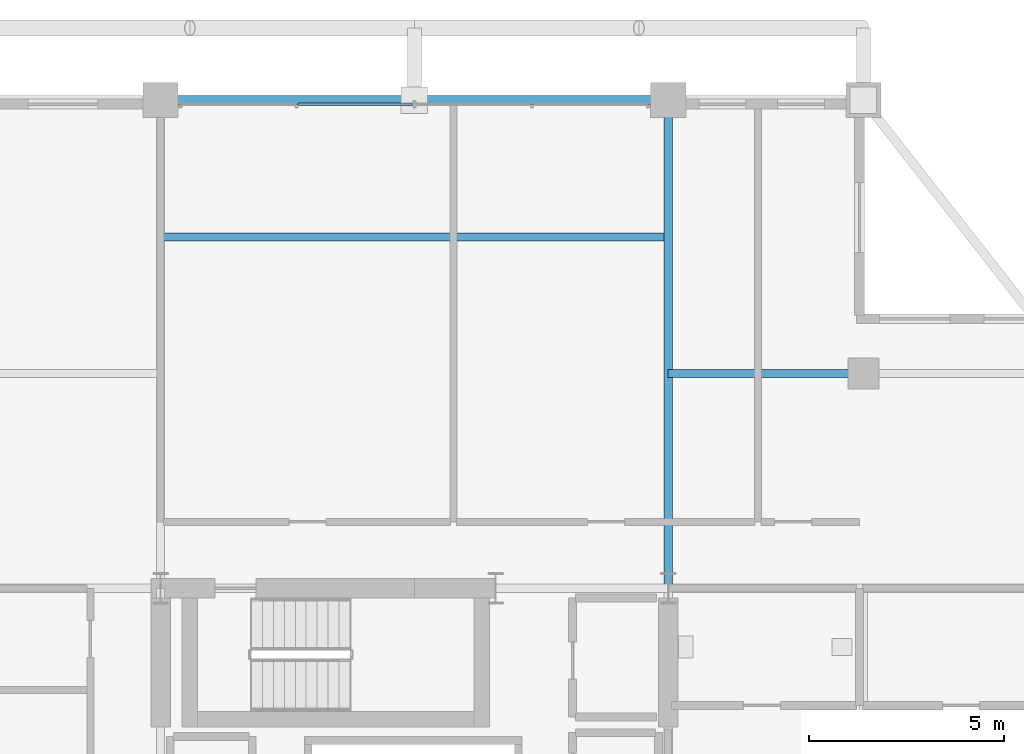
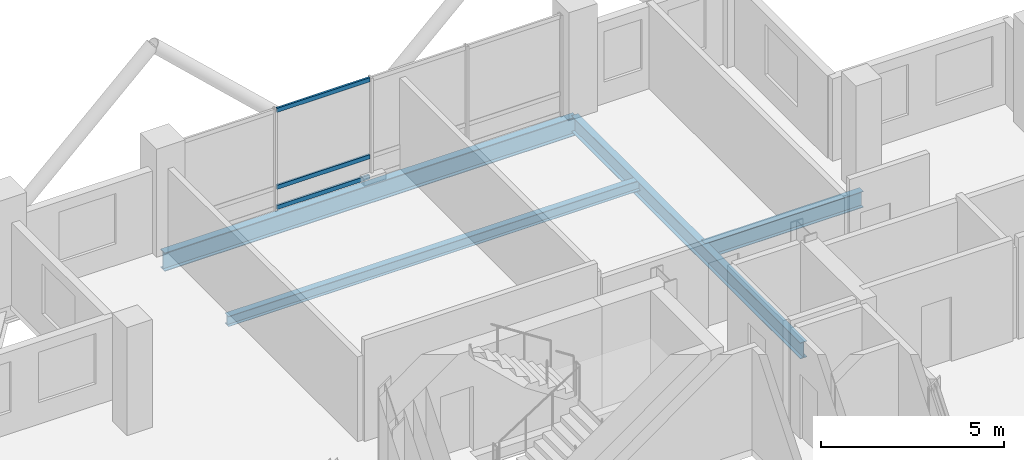
# One storey, part 16 of 24: 4 beams, 3 members, 1 element without a shape of its own.
"""IFC4 building model written with IfcOpenShell, lengths in metres."""

from ifc_helpers import new_model, si_unit, direction, frame, origin, origin_2d, place, context, subcontext, project, spatial, hollow_rectangle, i_section, extrude, material, layer, layer_set, material_profile, profile_set, type_object, element, aggregate, save


model = new_model("IFC4")

# Units and contexts
model_context = context("Model", 3, precision=1e-05, world=origin(), true_north=direction((0.0, 1.0)))
body_context = subcontext(model_context, "Body", "Model", "MODEL_VIEW")
ifc_project = project(units=[si_unit("LENGTHUNIT", "METRE"), si_unit("AREAUNIT", "SQUARE_METRE"), si_unit("VOLUMEUNIT", "CUBIC_METRE"), si_unit("PLANEANGLEUNIT", "RADIAN"), si_unit("MASSUNIT", "GRAM", prefix="KILO")], contexts=[model_context])

# Site, building, storey
site_placement = place(None, origin())
site = spatial("IfcSite", under=ifc_project, at=site_placement, CompositionType="ELEMENT")
building_placement = place(site_placement, origin())
building = spatial("IfcBuilding", under=site, at=building_placement, Name="Barlavira Tower and Art Museum", CompositionType="ELEMENT")
storey_placement = place(building_placement, frame((0.0, 0.0, 272.699951171875)))
storey = spatial("IfcBuildingStorey", under=building, at=storey_placement, Name="L71", CompositionType="ELEMENT", Elevation=272.699951171875)

# Curtain wall, members
ifc_material_1 = material(Name="Low-iron coastal laminated glass", Category="glass")
ifc_layer = layer(ifc_material_1, 0.2099609375, Name="Low-iron coastal laminated glass")
ifc_layer_set = layer_set([ifc_layer], Name="Low-iron coastal laminated glass")
curtain_wall_type = type_object("IfcCurtainWallType", Name="Pale-Metal Unitised Curtain Wall Zone 4", PredefinedType="NOTDEFINED", material=ifc_layer_set)
curtain_wall_placement = place(storey_placement, origin())
curtain_wall = element("IfcCurtainWall", 1, at=curtain_wall_placement, inside=storey, type_object=curtain_wall_type, Name="L71 Curtain Wall CW4-L71-N-B2", PredefinedType="NOTDEFINED")
ifc_material_2 = material(Name="Pale anodised aluminium", Category="aluminium")
ifc_material_profile_1 = material_profile(ifc_material_2, hollow_rectangle(XDim=0.06494140625, YDim=0.139892578125, WallThickness=0.00390625, at=origin_2d()), Name="ALU-TRAN 65x140x4")
ifc_profile_set_1 = profile_set([ifc_material_profile_1], Name="Pale anodised aluminium")
member_type = type_object("IfcMemberType", Name="Curtain Wall Pale-Metal Transom 65x140", PredefinedType="USERDEFINED", material=ifc_profile_set_1)
member_1_placement = place(storey_placement, frame((-0.044921875, 19.89990234375, 0.070068359375), z_axis=(-1.0, 0.0, 0.0), x_axis=(0.0, -1.0, 0.0)))
member_1 = element("IfcMember", 2, at=member_1_placement, type_object=member_type, Name="CW4-L71-N-B2 Transom 2.1", ObjectType="TRANSOM", PredefinedType="USERDEFINED", context=body_context, shape_type="SweptSolid", body=[
    extrude(hollow_rectangle(XDim=0.06494140625, YDim=0.139892578125, WallThickness=0.00390625, at=origin_2d()), origin(), (0.0, 0.0, 1.0), 2.925048828125),
])
member_2_placement = place(storey_placement, frame((-0.044921875, 19.89990234375, 0.744140625), z_axis=(-1.0, 0.0, 0.0), x_axis=(0.0, -1.0, 0.0)))
member_2 = element("IfcMember", 3, at=member_2_placement, type_object=member_type, Name="CW4-L71-N-B2 Transom 2.2", ObjectType="TRANSOM", PredefinedType="USERDEFINED", context=body_context, shape_type="SweptSolid", body=[
    extrude(hollow_rectangle(XDim=0.06494140625, YDim=0.139892578125, WallThickness=0.00390625, at=origin_2d()), origin(), (0.0, 0.0, 1.0), 2.925048828125),
])
member_3_placement = place(storey_placement, frame((-0.044921875, 19.89990234375, 3.31005859375), z_axis=(-1.0, 0.0, 0.0), x_axis=(0.0, -1.0, 0.0)))
member_3 = element("IfcMember", 4, at=member_3_placement, type_object=member_type, Name="CW4-L71-N-B2 Transom 2.3", ObjectType="TRANSOM", PredefinedType="USERDEFINED", context=body_context, shape_type="SweptSolid", body=[
    extrude(hollow_rectangle(XDim=0.06494140625, YDim=0.139892578125, WallThickness=0.00390625, at=origin_2d()), origin(), (0.0, 0.0, 1.0), 2.925048828125),
])
aggregate(curtain_wall, [member_1, member_2, member_3])

# Beams
ifc_material_3 = material(Name="Steel S355", Category="steel")
ifc_material_profile_2 = material_profile(ifc_material_3, i_section(OverallWidth=0.22998046875, OverallDepth=0.616943359375, WebThickness=0.01318359375, FlangeThickness=0.022216796875, at=origin_2d()), Name="W610x140.0")
ifc_profile_set_2 = profile_set([ifc_material_profile_2], Name="Steel S355")
beam_type_1 = type_object("IfcBeamType", Name="Upper Shaft Spandrel Edge Beam W610x140 Steel S355", PredefinedType="SPANDREL", material=ifc_profile_set_2)
beam_1_placement = place(storey_placement, frame((-6.5, 20.0, -0.528564453125), z_axis=(1.0, 0.0, 0.0), x_axis=(0.0, 1.0, 0.0)))
element("IfcBeam", 5, at=beam_1_placement, inside=storey, type_object=beam_type_1, Name="L71 Spandrel 10", PredefinedType="SPANDREL", context=body_context, shape_type="SweptSolid", body=[
    extrude(i_section(OverallWidth=0.22998046875, OverallDepth=0.616943359375, WebThickness=0.01318359375, FlangeThickness=0.022216796875, at=origin_2d()), origin(), (0.0, 0.0, 1.0), 13.0),
])
ifc_material_profile_3 = material_profile(ifc_material_3, i_section(OverallWidth=0.2109375, OverallDepth=0.5390625, WebThickness=0.01171875, FlangeThickness=0.018798828125, at=origin_2d()), Name="W530x109.0")
ifc_profile_set_3 = profile_set([ifc_material_profile_3], Name="Steel S355")
beam_type_2 = type_object("IfcBeamType", Name="Zone 3-4 Primary Floor Girder W530x109 Steel S355", PredefinedType="BEAM", material=ifc_profile_set_3)
beam_2_placement = place(storey_placement, frame((6.5, 7.5, -0.489501953125), z_axis=(0.0, 1.0, 0.0), x_axis=(-1.0, 0.0, 0.0)))
element("IfcBeam", 6, at=beam_2_placement, inside=storey, type_object=beam_type_2, Name="L71 Girder R-N2", PredefinedType="BEAM", context=body_context, shape_type="SweptSolid", body=[
    extrude(i_section(OverallWidth=0.2109375, OverallDepth=0.5390625, WebThickness=0.01171875, FlangeThickness=0.018798828125, at=origin_2d()), origin(), (0.0, 0.0, 1.0), 12.5),
])
beam_3_placement = place(storey_placement, frame((6.5, 13.0, -0.489501953125), z_axis=(1.0, 0.0, 0.0), x_axis=(0.0, 1.0, 0.0)))
element("IfcBeam", 7, at=beam_3_placement, inside=storey, type_object=beam_type_2, Name="L71 Girder I-N3", PredefinedType="BEAM", context=body_context, shape_type="SweptSolid", body=[
    extrude(i_section(OverallWidth=0.2109375, OverallDepth=0.5390625, WebThickness=0.01171875, FlangeThickness=0.018798828125, at=origin_2d()), origin(), (0.0, 0.0, 1.0), 5.0),
])
ifc_material_profile_4 = material_profile(ifc_material_3, i_section(OverallWidth=0.202880859375, OverallDepth=0.346923828125, WebThickness=0.0078125, FlangeThickness=0.013427734375, at=origin_2d()), Name="W360x64.0")
ifc_profile_set_4 = profile_set([ifc_material_profile_4], Name="Steel S355")
beam_type_3 = type_object("IfcBeamType", Name="Zone 4 Composite Floor Joist W360x64 Steel S355", PredefinedType="JOIST", material=ifc_profile_set_4)
beam_4_placement = place(storey_placement, frame((-6.5, 16.5, -0.3935546875), z_axis=(1.0, 0.0, 0.0), x_axis=(0.0, 1.0, 0.0)))
element("IfcBeam", 8, at=beam_4_placement, inside=storey, type_object=beam_type_3, Name="L71 Joist C2", PredefinedType="JOIST", context=body_context, shape_type="SweptSolid", body=[
    extrude(i_section(OverallWidth=0.202880859375, OverallDepth=0.346923828125, WebThickness=0.0078125, FlangeThickness=0.013427734375, at=origin_2d()), origin(), (0.0, 0.0, 1.0), 13.0),
])

save(model, "model.ifc")
